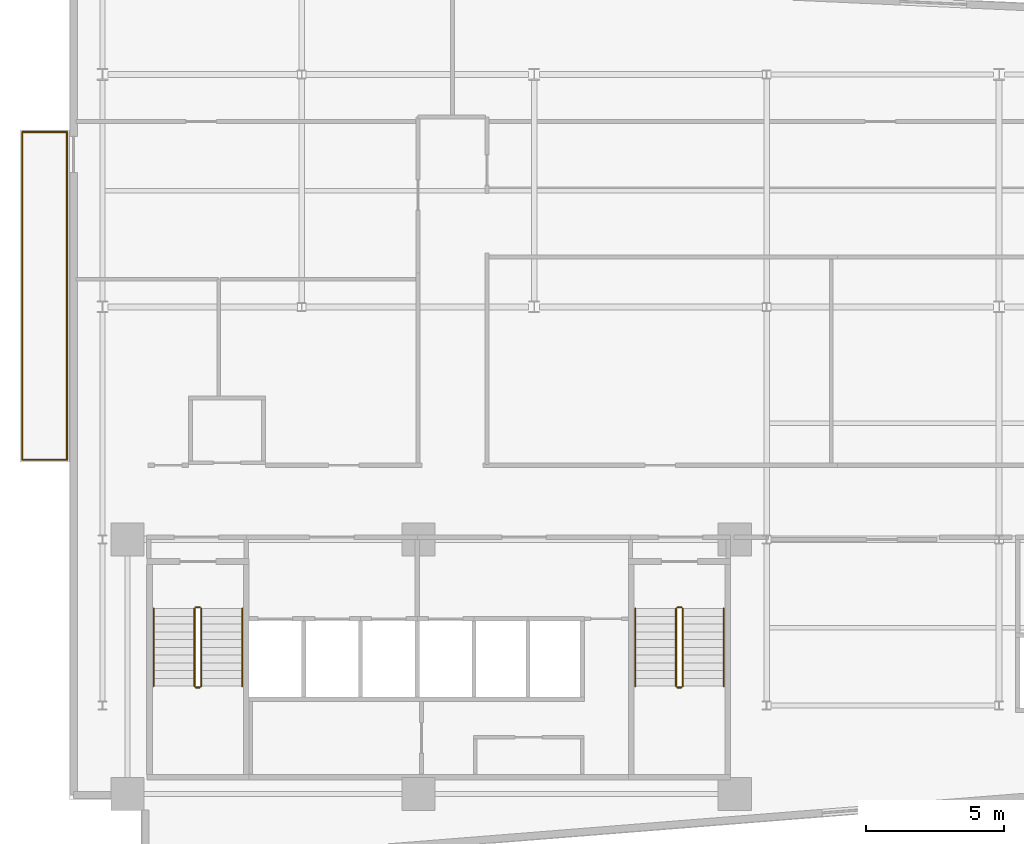
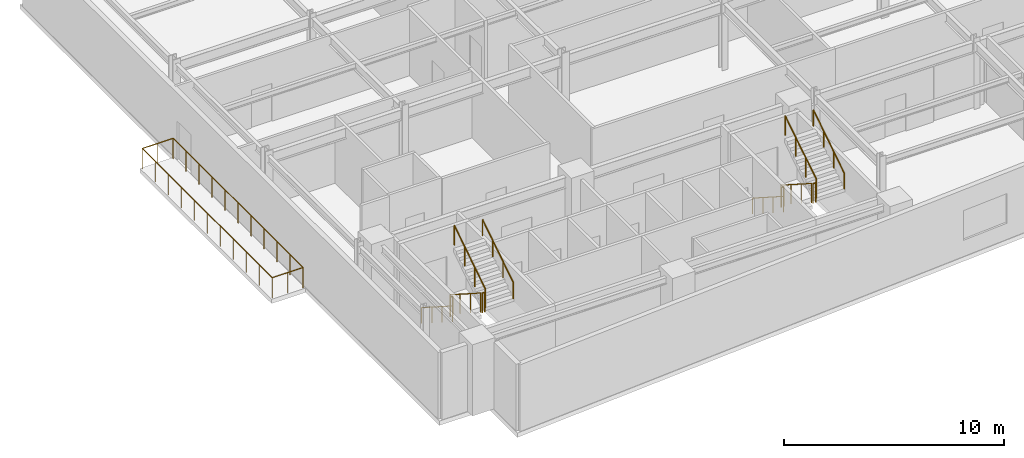
# One storey, part 13 of 16: 16 railings.
"""IFC4 building model written with IfcOpenShell, lengths in metres."""

import ifcopenshell
import ifcopenshell.guid

model = None  # the IFC model being written
_history = None  # IfcOwnerHistory: only IFC2X3 demands one
_inside = {}  # id of a spatial element -> (the spatial element, [elements in it])
_under = {}  # id of a project, library or spatial element -> (it, [spatial elements below it])
_declared = {}  # id of a project -> (the project, [libraries it declares])
_typed = {}  # id of a type object -> (the type object, [elements of that type])
_made_of = {}  # id of a material, layer set ... -> (it, [elements and type objects made of it])


def new_model(schema):
    """Start an empty IFC model of exactly this schema.

    Asked for "IFC4X3", IfcOpenShell would pick the latest addendum, in which some entities
    have other attributes; the version numbers below select the first issue.
    IFC2X3 requires an IfcOwnerHistory on every rooted entity: one is made here for all.
    """
    global model, _history
    if schema == "IFC4X3":
        model = ifcopenshell.file(schema_version=(4, 3, 0, 0))
    else:
        model = ifcopenshell.file(schema=schema)
    _inside.clear()
    _under.clear()
    _declared.clear()
    _typed.clear()
    _made_of.clear()
    _history = None
    if model.schema == "IFC2X3":
        org = make("IfcOrganization", Name="unknown")
        user = make(
            "IfcPersonAndOrganization",
            ThePerson=make("IfcPerson", FamilyName="unknown"),
            TheOrganization=org,
        )
        app = make(
            "IfcApplication",
            ApplicationDeveloper=org,
            Version="unknown",
            ApplicationFullName="unknown",
            ApplicationIdentifier="unknown",
        )
        _history = make(
            "IfcOwnerHistory",
            OwningUser=user,
            OwningApplication=app,
            ChangeAction="ADDED",
            CreationDate=0,
        )
    return model


def make(cls, **values):
    """One entity of the class cls with the attributes given. An attribute that is None is left unset."""
    return model.create_entity(
        cls, **{name: value for name, value in values.items() if value is not None}
    )


def rooted(cls, **values):
    """An entity with a GlobalId (a new one), such as an element, a storey or a relation."""
    return make(cls, GlobalId=ifcopenshell.guid.new(), OwnerHistory=_history, **values)


def si_unit(unit_type, name, prefix=None):
    """IfcSIUnit, for example si_unit("LENGTHUNIT", "METRE", prefix="MILLI")."""
    return make("IfcSIUnit", UnitType=unit_type, Prefix=prefix, Name=name)


def assignment(units):
    """IfcUnitAssignment: the units of a project."""
    return None if units is None else make("IfcUnitAssignment", Units=units)


def point(xyz):
    """IfcCartesianPoint."""
    return None if xyz is None else make("IfcCartesianPoint", Coordinates=xyz)


def direction(xyz):
    """IfcDirection."""
    return None if xyz is None else make("IfcDirection", DirectionRatios=xyz)


def frame(location, z_axis=None, x_axis=None):
    """IfcAxis2Placement3D, a coordinate frame: its origin and axes. An axis left out is left unset."""
    return make(
        "IfcAxis2Placement3D",
        Location=point(location),
        Axis=direction(z_axis),
        RefDirection=direction(x_axis),
    )


def frame_2d(location, x_axis=None):
    """IfcAxis2Placement2D, a coordinate frame in the plane: its origin and x axis."""
    return make(
        "IfcAxis2Placement2D", Location=point(location), RefDirection=direction(x_axis)
    )


def origin():
    """The frame at (0, 0, 0) with its axes left unset."""
    return frame((0.0, 0.0, 0.0))


def origin_2d():
    """The frame at (0, 0) in the plane with its x axis left unset."""
    return frame_2d((0.0, 0.0))


def place(relative_to, where):
    """IfcLocalPlacement: puts the frame where relative to a parent placement (None: the world)."""
    return make(
        "IfcLocalPlacement", PlacementRelTo=relative_to, RelativePlacement=where
    )


def context(
    kind, dimensions, precision=None, world=None, true_north=None, identifier=None
):
    """IfcGeometricRepresentationContext, for example the 3D "Model" context."""
    return make(
        "IfcGeometricRepresentationContext",
        ContextIdentifier=identifier,
        ContextType=kind,
        CoordinateSpaceDimension=dimensions,
        Precision=precision,
        WorldCoordinateSystem=world,
        TrueNorth=true_north,
    )


def subcontext(parent, identifier, kind, view, scale=None):
    """IfcGeometricRepresentationSubContext, for example "Body" below "Model"."""
    return make(
        "IfcGeometricRepresentationSubContext",
        ContextIdentifier=identifier,
        ContextType=kind,
        ParentContext=parent,
        TargetScale=scale,
        TargetView=view,
    )


def project(units=None, contexts=None):
    """IfcProject with its units and contexts."""
    return rooted(
        "IfcProject",
        Name="project",
        RepresentationContexts=contexts,
        UnitsInContext=assignment(units),
    )


def spatial(cls, under=None, at=None, **own):
    """A site, building, storey or space (cls), placed at a placement, below another one or the project."""
    s = rooted(cls, ObjectPlacement=at, **own)
    if under is not None:
        _under.setdefault(under.id(), (under, []))[1].append(s)
    return s


def profile(cls, at=None, kind="AREA", **sizes):
    """A parametric profile (cls). Its sizes go by their IFC names, for example OverallWidth=200.0."""
    return make(cls, ProfileType=kind, Position=at, **sizes)


def circle(**sizes):
    """IfcCircleProfileDef."""
    return profile("IfcCircleProfileDef", **sizes)


def extrude(swept, where, along, depth):
    """IfcExtrudedAreaSolid: the profile swept, set in the frame where, extruded along a direction by depth."""
    return make(
        "IfcExtrudedAreaSolid",
        SweptArea=swept,
        Position=where,
        ExtrudedDirection=direction(along),
        Depth=depth,
    )


def shape(context_of_items, identifier, shape_type, items):
    """IfcShapeRepresentation: the items that make up one representation, for example the "Body"."""
    return make(
        "IfcShapeRepresentation",
        ContextOfItems=context_of_items,
        RepresentationIdentifier=identifier,
        RepresentationType=shape_type,
        Items=items,
    )


def material(Name=None, Category=None):
    """IfcMaterial."""
    return make("IfcMaterial", Name=Name, Category=Category)


def made_of(thing, what):
    """Note that an element or type object is made of a material, layer set ...; save() writes the relation."""
    if what is not None:
        _made_of.setdefault(what.id(), (what, []))[1].append(thing)
    return thing


def type_object(cls, material=None, **own):
    """A type object (cls), such as IfcWallType, which elements share."""
    return made_of(rooted(cls, **own), material)


def element(
    cls,
    number,
    at=None,
    inside=None,
    cuts=None,
    type_object=None,
    material=None,
    context=None,
    identifier="Body",
    shape_type=None,
    held_by="IfcProductDefinitionShape",
    body=None,
    shapes=None,
    **own,
):
    """One element of the class cls, such as IfcWall. Its Tag is "e" and its number.

    at: its placement. inside: the storey or other place that contains it. cuts: it is an
    opening in that element (IfcRelVoidsElement). A single representation is given by context,
    identifier, shape_type and body (its items); several are given by shapes. held_by: the class
    of the entity that holds the representations. save() writes the other relations.
    """
    e = rooted(cls, Tag="e%d" % number, ObjectPlacement=at, **own)
    if body is not None:
        shapes = [shape(context, identifier, shape_type, body)]
    if shapes is not None:
        e.Representation = make(held_by, Representations=shapes)
    if inside is not None:
        _inside.setdefault(inside.id(), (inside, []))[1].append(e)
    if cuts is not None:
        rooted(
            "IfcRelVoidsElement", RelatingBuildingElement=cuts, RelatedOpeningElement=e
        )
    if type_object is not None:
        _typed.setdefault(type_object.id(), (type_object, []))[1].append(e)
    return made_of(e, material)


def aggregate(whole, parts):
    """IfcRelAggregates: a whole, such as a stair, and the parts it consists of."""
    return rooted("IfcRelAggregates", RelatingObject=whole, RelatedObjects=parts)


def save(model, path):
    """Write the relations noted so far, then the file.

    IfcRelAggregates (storeys below a building ...), IfcRelContainedInSpatialStructure (elements
    in a storey), IfcRelDefinesByType, IfcRelAssociatesMaterial and IfcRelDeclares: one each for
    every whole, place, type object, material and project.
    """
    for whole, parts in _under.values():
        aggregate(whole, parts)
    for where, things in _inside.values():
        rooted(
            "IfcRelContainedInSpatialStructure",
            RelatedElements=things,
            RelatingStructure=where,
        )
    for kind, things in _typed.values():
        rooted("IfcRelDefinesByType", RelatedObjects=things, RelatingType=kind)
    for what, things in _made_of.values():
        rooted("IfcRelAssociatesMaterial", RelatedObjects=things, RelatingMaterial=what)
    for by, libraries in _declared.values():
        rooted("IfcRelDeclares", RelatingContext=by, RelatedDefinitions=libraries)
    model.write(path)


model = new_model("IFC4")

# Units and contexts
model_context = context("Model", 3, precision=1e-05, world=origin(), true_north=direction((0.0, 1.0)))
body_context = subcontext(model_context, "Body", "Model", "MODEL_VIEW")
ifc_project = project(units=[si_unit("LENGTHUNIT", "METRE"), si_unit("AREAUNIT", "SQUARE_METRE"), si_unit("VOLUMEUNIT", "CUBIC_METRE"), si_unit("PLANEANGLEUNIT", "RADIAN"), si_unit("MASSUNIT", "GRAM", prefix="KILO")], contexts=[model_context])

# Site, building, storey
site_placement = place(None, origin())
site = spatial("IfcSite", under=ifc_project, at=site_placement, CompositionType="ELEMENT")
building_placement = place(site_placement, origin())
building = spatial("IfcBuilding", under=site, at=building_placement, Name="Varnakote Quay Hospital", CompositionType="ELEMENT")
storey_placement = place(building_placement, frame((0.0, 0.0, 166.550048828125)))
storey = spatial("IfcBuildingStorey", under=building, at=storey_placement, Name="L41", CompositionType="ELEMENT", Elevation=166.550048828125)

# Railings
ifc_material_1 = material(Name="Anodised aluminium 6063-T6 Bronze", Category="aluminium")
railing_type_1 = type_object("IfcRailingType", Name="RLG-EXT-GUARD-1150", PredefinedType="GUARDRAIL", material=ifc_material_1)
railing_1_placement = place(storey_placement, frame((-0.075927734375, 14.8798828125, 0.0)))
element("IfcRailing", 1, at=railing_1_placement, inside=storey, type_object=railing_type_1, Name="L41 Zigzag Prow Healing Terrace Safety Guard", PredefinedType="GUARDRAIL", context=body_context, shape_type="SweptSolid", body=[
    extrude(circle(Radius=0.02392578125, at=origin_2d()), frame((0.0, 0.0, 1.1259765625), z_axis=(-1.0, 0.0, 0.0), x_axis=(0.0, -1.0, 0.0)), (0.0, 0.0, 1.0), 1.6240234375),
    extrude(circle(Radius=0.02099609375, at=origin_2d()), origin(), (0.0, 0.0, 1.0), 1.101806640625),
    extrude(circle(Radius=0.02099609375, at=origin_2d()), frame((-0.81201171875, 0.0, 0.0)), (0.0, 0.0, 1.0), 1.101806640625),
    extrude(circle(Radius=0.02099609375, at=origin_2d()), frame((-1.6240234375, 0.0, 0.0)), (0.0, 0.0, 1.0), 1.101806640625),
])
railing_2_placement = place(storey_placement, frame((-1.699951171875, 14.8798828125, 0.0)))
element("IfcRailing", 2, at=railing_2_placement, inside=storey, type_object=railing_type_1, Name="L41 Zigzag Prow Healing Terrace Safety Guard", PredefinedType="GUARDRAIL", context=body_context, shape_type="SweptSolid", body=[
    extrude(circle(Radius=0.02392578125, at=origin_2d()), frame((0.0, 0.0, 1.1259765625), z_axis=(0.0, 1.0, 0.0), x_axis=(-1.0, 0.0, 0.0)), (0.0, 0.0, 1.0), 11.840087890625),
    extrude(circle(Radius=0.02099609375, at=origin_2d()), origin(), (0.0, 0.0, 1.0), 1.101806640625),
    extrude(circle(Radius=0.02099609375, at=origin_2d()), frame((0.0, 1.18408203125, 0.0)), (0.0, 0.0, 1.0), 1.101806640625),
    extrude(circle(Radius=0.02099609375, at=origin_2d()), frame((0.0, 2.367919921875, 0.0)), (0.0, 0.0, 1.0), 1.101806640625),
    extrude(circle(Radius=0.02099609375, at=origin_2d()), frame((0.0, 3.552001953125, 0.0)), (0.0, 0.0, 1.0), 1.101806640625),
    extrude(circle(Radius=0.02099609375, at=origin_2d()), frame((0.0, 4.736083984375, 0.0)), (0.0, 0.0, 1.0), 1.101806640625),
    extrude(circle(Radius=0.02099609375, at=origin_2d()), frame((0.0, 5.919921875, 0.0)), (0.0, 0.0, 1.0), 1.101806640625),
    extrude(circle(Radius=0.02099609375, at=origin_2d()), frame((0.0, 7.10400390625, 0.0)), (0.0, 0.0, 1.0), 1.101806640625),
    extrude(circle(Radius=0.02099609375, at=origin_2d()), frame((0.0, 8.2880859375, 0.0)), (0.0, 0.0, 1.0), 1.101806640625),
    extrude(circle(Radius=0.02099609375, at=origin_2d()), frame((0.0, 9.47216796875, 0.0)), (0.0, 0.0, 1.0), 1.101806640625),
    extrude(circle(Radius=0.02099609375, at=origin_2d()), frame((0.0, 10.656005859375, 0.0)), (0.0, 0.0, 1.0), 1.101806640625),
    extrude(circle(Radius=0.02099609375, at=origin_2d()), frame((0.0, 11.840087890625, 0.0)), (0.0, 0.0, 1.0), 1.101806640625),
])
railing_3_placement = place(storey_placement, frame((-1.699951171875, 26.719970703125, 0.0)))
element("IfcRailing", 3, at=railing_3_placement, inside=storey, type_object=railing_type_1, Name="L41 Zigzag Prow Healing Terrace Safety Guard", PredefinedType="GUARDRAIL", context=body_context, shape_type="SweptSolid", body=[
    extrude(circle(Radius=0.02392578125, at=origin_2d()), frame((0.0, 0.0, 1.1259765625), z_axis=(1.0, 0.0, 0.0), x_axis=(0.0, 1.0, 0.0)), (0.0, 0.0, 1.0), 1.6240234375),
    extrude(circle(Radius=0.02099609375, at=origin_2d()), origin(), (0.0, 0.0, 1.0), 1.101806640625),
    extrude(circle(Radius=0.02099609375, at=origin_2d()), frame((0.81201171875, 0.0, 0.0)), (0.0, 0.0, 1.0), 1.101806640625),
    extrude(circle(Radius=0.02099609375, at=origin_2d()), frame((1.6240234375, 0.0, 0.0)), (0.0, 0.0, 1.0), 1.101806640625),
])
railing_4_placement = place(storey_placement, frame((-0.075927734375, 26.719970703125, 0.0)))
element("IfcRailing", 4, at=railing_4_placement, inside=storey, type_object=railing_type_1, Name="L41 Zigzag Prow Healing Terrace Safety Guard", PredefinedType="GUARDRAIL", context=body_context, shape_type="SweptSolid", body=[
    extrude(circle(Radius=0.02392578125, at=origin_2d()), frame((0.0, 0.0, 1.1259765625), z_axis=(0.0, -1.0, 0.0), x_axis=(1.0, 0.0, 0.0)), (0.0, 0.0, 1.0), 11.840087890625),
    extrude(circle(Radius=0.02099609375, at=origin_2d()), origin(), (0.0, 0.0, 1.0), 1.101806640625),
    extrude(circle(Radius=0.02099609375, at=origin_2d()), frame((0.0, -1.18408203125, 0.0)), (0.0, 0.0, 1.0), 1.101806640625),
    extrude(circle(Radius=0.02099609375, at=origin_2d()), frame((0.0, -2.367919921875, 0.0)), (0.0, 0.0, 1.0), 1.101806640625),
    extrude(circle(Radius=0.02099609375, at=origin_2d()), frame((0.0, -3.552001953125, 0.0)), (0.0, 0.0, 1.0), 1.101806640625),
    extrude(circle(Radius=0.02099609375, at=origin_2d()), frame((0.0, -4.736083984375, 0.0)), (0.0, 0.0, 1.0), 1.101806640625),
    extrude(circle(Radius=0.02099609375, at=origin_2d()), frame((0.0, -5.919921875, 0.0)), (0.0, 0.0, 1.0), 1.101806640625),
    extrude(circle(Radius=0.02099609375, at=origin_2d()), frame((0.0, -7.10400390625, 0.0)), (0.0, 0.0, 1.0), 1.101806640625),
    extrude(circle(Radius=0.02099609375, at=origin_2d()), frame((0.0, -8.2880859375, 0.0)), (0.0, 0.0, 1.0), 1.101806640625),
    extrude(circle(Radius=0.02099609375, at=origin_2d()), frame((0.0, -9.47216796875, 0.0)), (0.0, 0.0, 1.0), 1.101806640625),
    extrude(circle(Radius=0.02099609375, at=origin_2d()), frame((0.0, -10.656005859375, 0.0)), (0.0, 0.0, 1.0), 1.101806640625),
    extrude(circle(Radius=0.02099609375, at=origin_2d()), frame((0.0, -11.840087890625, 0.0)), (0.0, 0.0, 1.0), 1.101806640625),
])
ifc_material_2 = material(Name="Brushed stainless steel balustrade", Category="steel")
railing_type_2 = type_object("IfcRailingType", Name="RLG-STAIR-GUARD-1150", PredefinedType="GUARDRAIL", material=ifc_material_2)
railing_5_placement = place(storey_placement, frame((4.530029296875, 9.5, 0.179443359375)))
element("IfcRailing", 5, at=railing_5_placement, inside=storey, type_object=railing_type_2, Name="L41 ST-01 stair guard 1", PredefinedType="GUARDRAIL", context=body_context, shape_type="SweptSolid", body=[
    extrude(circle(Radius=0.02392578125, at=origin_2d()), frame((0.0, 0.0, 1.076171875), z_axis=(0.0, -0.841809871826, 0.539774156196), x_axis=(1.0, 0.0, 0.0)), (0.0, 0.0, 1.0), 3.326171875),
    extrude(circle(Radius=0.02099609375, at=origin_2d()), origin(), (0.0, 0.0, 1.0), 1.052001953125),
    extrude(circle(Radius=0.02099609375, at=origin_2d()), frame((0.0, -0.933349609375, 0.598388671875)), (0.0, 0.0, 1.0), 1.052001953125),
    extrude(circle(Radius=0.02099609375, at=origin_2d()), frame((0.0, -1.86669921875, 1.197021484375)), (0.0, 0.0, 1.0), 1.052001953125),
    extrude(circle(Radius=0.02099609375, at=origin_2d()), frame((0.0, -2.800048828125, 1.79541015625)), (0.0, 0.0, 1.0), 1.052001953125),
])
railing_6_placement = place(storey_placement, frame((4.580078125, 6.64990234375, 1.974853515625)))
element("IfcRailing", 6, at=railing_6_placement, inside=storey, type_object=railing_type_2, Name="L41 ST-01 stair guard 2", PredefinedType="GUARDRAIL", context=body_context, shape_type="SweptSolid", body=[
    extrude(circle(Radius=0.02392578125, at=origin_2d()), frame((0.0, 0.0, 1.076171875), z_axis=(1.0, 0.0, 0.0), x_axis=(0.0, 1.0, 0.0)), (0.0, 0.0, 1.0), 0.139892578125),
    extrude(circle(Radius=0.02099609375, at=origin_2d()), origin(), (0.0, 0.0, 1.0), 1.052001953125),
    extrude(circle(Radius=0.02099609375, at=origin_2d()), frame((0.139892578125, 0.0, 0.0)), (0.0, 0.0, 1.0), 1.052001953125),
])
railing_7_placement = place(storey_placement, frame((4.77001953125, 6.699951171875, 2.154541015625)))
element("IfcRailing", 7, at=railing_7_placement, inside=storey, type_object=railing_type_2, Name="L41 ST-01 stair guard 3", PredefinedType="GUARDRAIL", context=body_context, shape_type="SweptSolid", body=[
    extrude(circle(Radius=0.02392578125, at=origin_2d()), frame((0.0, 0.0, 1.076171875), z_axis=(0.0, 0.841809871826, 0.539774156196), x_axis=(-1.0, 0.0, 0.0)), (0.0, 0.0, 1.0), 3.326171875),
    extrude(circle(Radius=0.02099609375, at=origin_2d()), origin(), (0.0, 0.0, 1.0), 1.052001953125),
    extrude(circle(Radius=0.02099609375, at=origin_2d()), frame((0.0, 0.933349609375, 0.598388671875)), (0.0, 0.0, 1.0), 1.052001953125),
    extrude(circle(Radius=0.02099609375, at=origin_2d()), frame((0.0, 1.86669921875, 1.197021484375)), (0.0, 0.0, 1.0), 1.052001953125),
    extrude(circle(Radius=0.02099609375, at=origin_2d()), frame((0.0, 2.800048828125, 1.79541015625)), (0.0, 0.0, 1.0), 1.052001953125),
])
railing_8_placement = place(storey_placement, frame((4.580078125, 9.550048828125, 0.0)))
element("IfcRailing", 8, at=railing_8_placement, inside=storey, type_object=railing_type_2, Name="L41 ST-01 stair guard 4", PredefinedType="GUARDRAIL", context=body_context, shape_type="SweptSolid", body=[
    extrude(circle(Radius=0.02392578125, at=origin_2d()), frame((0.0, 0.0, 1.076171875), z_axis=(1.0, 0.0, 0.0), x_axis=(0.0, 1.0, 0.0)), (0.0, 0.0, 1.0), 0.139892578125),
    extrude(circle(Radius=0.02099609375, at=origin_2d()), origin(), (0.0, 0.0, 1.0), 1.052001953125),
    extrude(circle(Radius=0.02099609375, at=origin_2d()), frame((0.139892578125, 0.0, 0.0)), (0.0, 0.0, 1.0), 1.052001953125),
])
railing_9_placement = place(storey_placement, frame((21.929931640625, 9.5, 0.179443359375)))
element("IfcRailing", 9, at=railing_9_placement, inside=storey, type_object=railing_type_2, Name="L41 ST-02 stair guard 1", PredefinedType="GUARDRAIL", context=body_context, shape_type="SweptSolid", body=[
    extrude(circle(Radius=0.02392578125, at=origin_2d()), frame((0.0, 0.0, 1.076171875), z_axis=(0.0, -0.841809871826, 0.539774156196), x_axis=(1.0, 0.0, 0.0)), (0.0, 0.0, 1.0), 3.326171875),
    extrude(circle(Radius=0.02099609375, at=origin_2d()), origin(), (0.0, 0.0, 1.0), 1.052001953125),
    extrude(circle(Radius=0.02099609375, at=origin_2d()), frame((0.0, -0.933349609375, 0.598388671875)), (0.0, 0.0, 1.0), 1.052001953125),
    extrude(circle(Radius=0.02099609375, at=origin_2d()), frame((0.0, -1.86669921875, 1.197021484375)), (0.0, 0.0, 1.0), 1.052001953125),
    extrude(circle(Radius=0.02099609375, at=origin_2d()), frame((0.0, -2.800048828125, 1.79541015625)), (0.0, 0.0, 1.0), 1.052001953125),
])
railing_10_placement = place(storey_placement, frame((21.97998046875, 6.64990234375, 1.974853515625)))
element("IfcRailing", 10, at=railing_10_placement, inside=storey, type_object=railing_type_2, Name="L41 ST-02 stair guard 2", PredefinedType="GUARDRAIL", context=body_context, shape_type="SweptSolid", body=[
    extrude(circle(Radius=0.02392578125, at=origin_2d()), frame((0.0, 0.0, 1.076171875), z_axis=(1.0, 0.0, 0.0), x_axis=(0.0, 1.0, 0.0)), (0.0, 0.0, 1.0), 0.14013671875),
    extrude(circle(Radius=0.02099609375, at=origin_2d()), origin(), (0.0, 0.0, 1.0), 1.052001953125),
    extrude(circle(Radius=0.02099609375, at=origin_2d()), frame((0.14013671875, 0.0, 0.0)), (0.0, 0.0, 1.0), 1.052001953125),
])
railing_11_placement = place(storey_placement, frame((22.169921875, 6.699951171875, 2.154541015625)))
element("IfcRailing", 11, at=railing_11_placement, inside=storey, type_object=railing_type_2, Name="L41 ST-02 stair guard 3", PredefinedType="GUARDRAIL", context=body_context, shape_type="SweptSolid", body=[
    extrude(circle(Radius=0.02392578125, at=origin_2d()), frame((0.0, 0.0, 1.076171875), z_axis=(0.0, 0.841809871826, 0.539774156196), x_axis=(-1.0, 0.0, 0.0)), (0.0, 0.0, 1.0), 3.326171875),
    extrude(circle(Radius=0.02099609375, at=origin_2d()), origin(), (0.0, 0.0, 1.0), 1.052001953125),
    extrude(circle(Radius=0.02099609375, at=origin_2d()), frame((0.0, 0.933349609375, 0.598388671875)), (0.0, 0.0, 1.0), 1.052001953125),
    extrude(circle(Radius=0.02099609375, at=origin_2d()), frame((0.0, 1.86669921875, 1.197021484375)), (0.0, 0.0, 1.0), 1.052001953125),
    extrude(circle(Radius=0.02099609375, at=origin_2d()), frame((0.0, 2.800048828125, 1.79541015625)), (0.0, 0.0, 1.0), 1.052001953125),
])
railing_12_placement = place(storey_placement, frame((21.97998046875, 9.550048828125, 0.0)))
element("IfcRailing", 12, at=railing_12_placement, inside=storey, type_object=railing_type_2, Name="L41 ST-02 stair guard 4", PredefinedType="GUARDRAIL", context=body_context, shape_type="SweptSolid", body=[
    extrude(circle(Radius=0.02392578125, at=origin_2d()), frame((0.0, 0.0, 1.076171875), z_axis=(1.0, 0.0, 0.0), x_axis=(0.0, 1.0, 0.0)), (0.0, 0.0, 1.0), 0.14013671875),
    extrude(circle(Radius=0.02099609375, at=origin_2d()), origin(), (0.0, 0.0, 1.0), 1.052001953125),
    extrude(circle(Radius=0.02099609375, at=origin_2d()), frame((0.14013671875, 0.0, 0.0)), (0.0, 0.0, 1.0), 1.052001953125),
])
ifc_material_3 = material(Name="Brushed stainless steel handrail", Category="steel")
railing_type_3 = type_object("IfcRailingType", Name="RLG-STAIR-HND-920", PredefinedType="HANDRAIL", material=ifc_material_3)
railing_13_placement = place(storey_placement, frame((3.050048828125, 9.5, 0.179443359375)))
element("IfcRailing", 13, at=railing_13_placement, inside=storey, type_object=railing_type_3, Name="L41 ST-01 stair handrail 1", PredefinedType="HANDRAIL", context=body_context, shape_type="SweptSolid", body=[
    extrude(circle(Radius=0.02392578125, at=origin_2d()), frame((0.0, 0.0, 0.8759765625), z_axis=(0.0, -0.841809871826, 0.539774156196), x_axis=(1.0, 0.0, 0.0)), (0.0, 0.0, 1.0), 3.326171875),
    extrude(circle(Radius=0.02099609375, at=origin_2d()), origin(), (0.0, 0.0, 1.0), 0.851806640625),
    extrude(circle(Radius=0.02099609375, at=origin_2d()), frame((0.0, -0.933349609375, 0.598388671875)), (0.0, 0.0, 1.0), 0.851806640625),
    extrude(circle(Radius=0.02099609375, at=origin_2d()), frame((0.0, -1.86669921875, 1.197021484375)), (0.0, 0.0, 1.0), 0.851806640625),
    extrude(circle(Radius=0.02099609375, at=origin_2d()), frame((0.0, -2.800048828125, 1.79541015625)), (0.0, 0.0, 1.0), 0.851806640625),
])
railing_14_placement = place(storey_placement, frame((6.25, 6.699951171875, 2.154541015625)))
element("IfcRailing", 14, at=railing_14_placement, inside=storey, type_object=railing_type_3, Name="L41 ST-01 stair handrail 2", PredefinedType="HANDRAIL", context=body_context, shape_type="SweptSolid", body=[
    extrude(circle(Radius=0.02392578125, at=origin_2d()), frame((0.0, 0.0, 0.8759765625), z_axis=(0.0, 0.841809871826, 0.539774156196), x_axis=(-1.0, 0.0, 0.0)), (0.0, 0.0, 1.0), 3.326171875),
    extrude(circle(Radius=0.02099609375, at=origin_2d()), origin(), (0.0, 0.0, 1.0), 0.851806640625),
    extrude(circle(Radius=0.02099609375, at=origin_2d()), frame((0.0, 0.933349609375, 0.598388671875)), (0.0, 0.0, 1.0), 0.851806640625),
    extrude(circle(Radius=0.02099609375, at=origin_2d()), frame((0.0, 1.86669921875, 1.197021484375)), (0.0, 0.0, 1.0), 0.851806640625),
    extrude(circle(Radius=0.02099609375, at=origin_2d()), frame((0.0, 2.800048828125, 1.79541015625)), (0.0, 0.0, 1.0), 0.851806640625),
])
railing_15_placement = place(storey_placement, frame((20.449951171875, 9.5, 0.179443359375)))
element("IfcRailing", 15, at=railing_15_placement, inside=storey, type_object=railing_type_3, Name="L41 ST-02 stair handrail 1", PredefinedType="HANDRAIL", context=body_context, shape_type="SweptSolid", body=[
    extrude(circle(Radius=0.02392578125, at=origin_2d()), frame((0.0, 0.0, 0.8759765625), z_axis=(0.0, -0.841809871826, 0.539774156196), x_axis=(1.0, 0.0, 0.0)), (0.0, 0.0, 1.0), 3.326171875),
    extrude(circle(Radius=0.02099609375, at=origin_2d()), origin(), (0.0, 0.0, 1.0), 0.851806640625),
    extrude(circle(Radius=0.02099609375, at=origin_2d()), frame((0.0, -0.933349609375, 0.598388671875)), (0.0, 0.0, 1.0), 0.851806640625),
    extrude(circle(Radius=0.02099609375, at=origin_2d()), frame((0.0, -1.86669921875, 1.197021484375)), (0.0, 0.0, 1.0), 0.851806640625),
    extrude(circle(Radius=0.02099609375, at=origin_2d()), frame((0.0, -2.800048828125, 1.79541015625)), (0.0, 0.0, 1.0), 0.851806640625),
])
railing_16_placement = place(storey_placement, frame((23.64990234375, 6.699951171875, 2.154541015625)))
element("IfcRailing", 16, at=railing_16_placement, inside=storey, type_object=railing_type_3, Name="L41 ST-02 stair handrail 2", PredefinedType="HANDRAIL", context=body_context, shape_type="SweptSolid", body=[
    extrude(circle(Radius=0.02392578125, at=origin_2d()), frame((0.0, 0.0, 0.8759765625), z_axis=(0.0, 0.841809871826, 0.539774156196), x_axis=(-1.0, 0.0, 0.0)), (0.0, 0.0, 1.0), 3.326171875),
    extrude(circle(Radius=0.02099609375, at=origin_2d()), origin(), (0.0, 0.0, 1.0), 0.851806640625),
    extrude(circle(Radius=0.02099609375, at=origin_2d()), frame((0.0, 0.933349609375, 0.598388671875)), (0.0, 0.0, 1.0), 0.851806640625),
    extrude(circle(Radius=0.02099609375, at=origin_2d()), frame((0.0, 1.86669921875, 1.197021484375)), (0.0, 0.0, 1.0), 0.851806640625),
    extrude(circle(Radius=0.02099609375, at=origin_2d()), frame((0.0, 2.800048828125, 1.79541015625)), (0.0, 0.0, 1.0), 0.851806640625),
])

save(model, "model.ifc")
